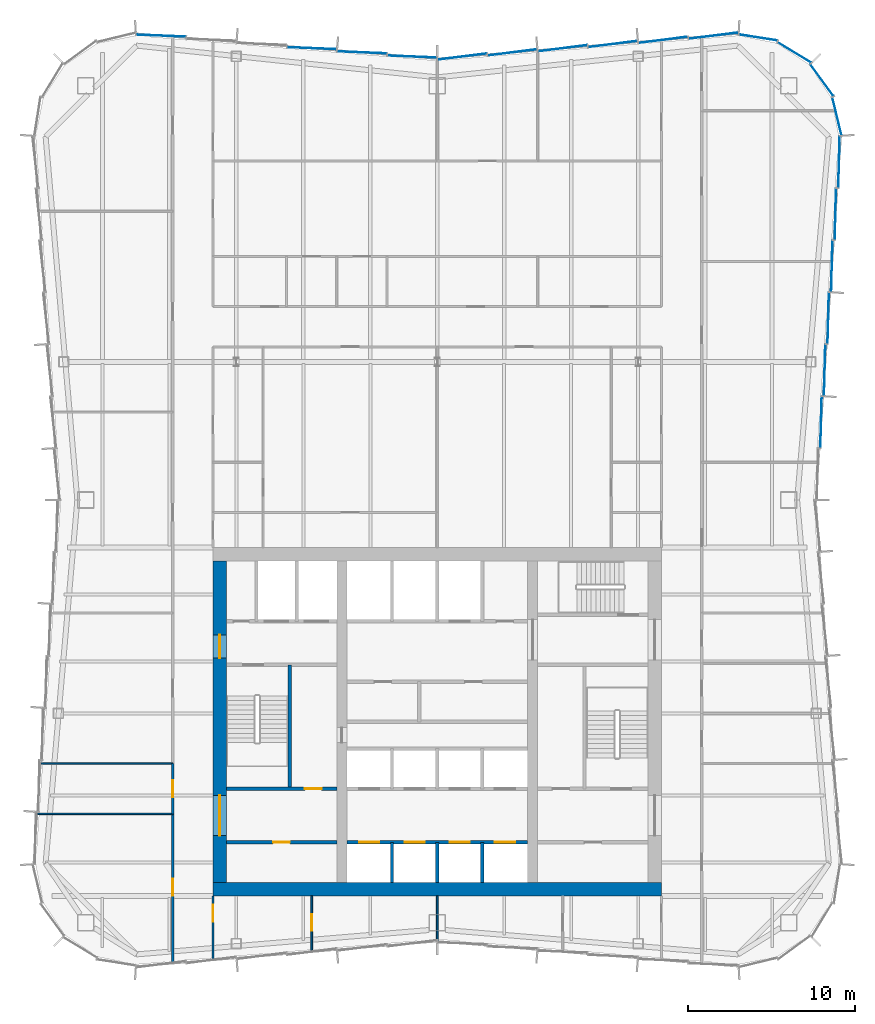
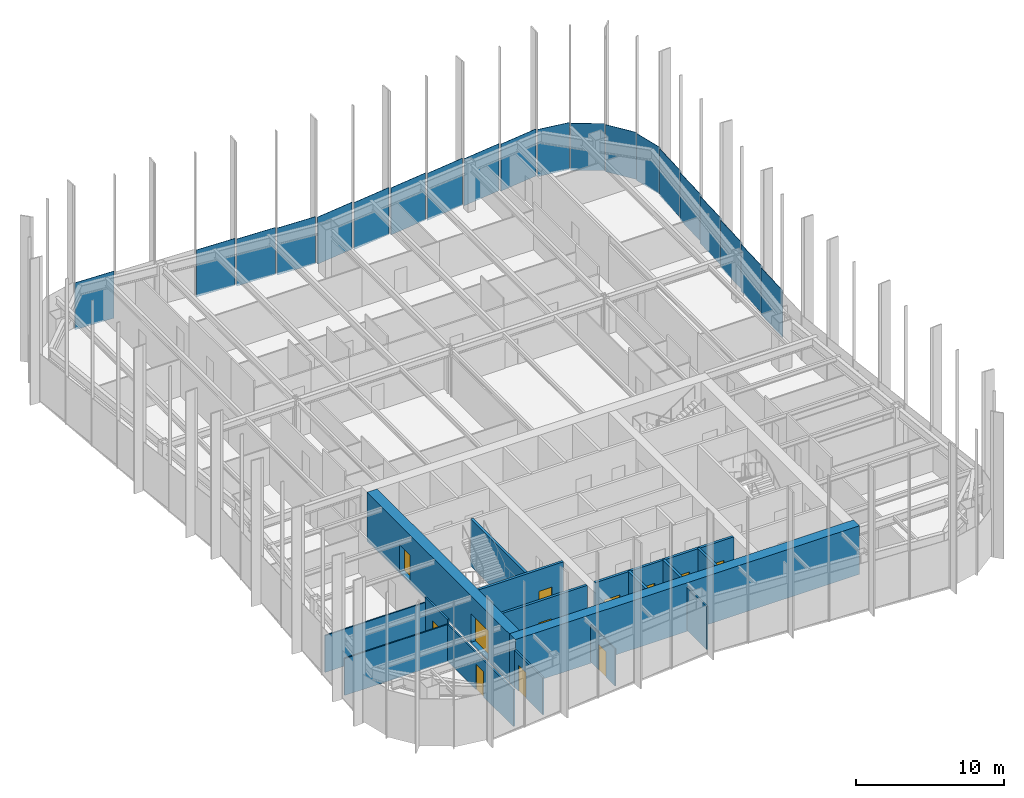
# One storey, part 10 of 15: 20 plates, 16 walls, 12 doors, 12 openings, 3 elements without a shape of their own.
"""IFC4 building model written with IfcOpenShell, lengths in metres."""

from ifc_helpers import new_model, si_unit, direction, frame, frame_2d, origin, origin_2d, place, context, subcontext, project, spatial, rectangle, extrude, material, layer, layer_set, type_object, element, fill, aggregate, save


model = new_model("IFC4")

# Units and contexts
model_context = context("Model", 3, precision=1e-05, world=origin(), true_north=direction((0.0, 1.0)))
body_context = subcontext(model_context, "Body", "Model", "MODEL_VIEW")
ifc_project = project(units=[si_unit("LENGTHUNIT", "METRE"), si_unit("AREAUNIT", "SQUARE_METRE"), si_unit("VOLUMEUNIT", "CUBIC_METRE"), si_unit("PLANEANGLEUNIT", "RADIAN"), si_unit("MASSUNIT", "GRAM", prefix="KILO")], contexts=[model_context])

# Site, building, storey
site_placement = place(None, origin())
site = spatial("IfcSite", under=ifc_project, at=site_placement, CompositionType="ELEMENT")
building_placement = place(site_placement, origin())
building = spatial("IfcBuilding", under=site, at=building_placement, Name="Verdant Reach Tower", CompositionType="ELEMENT")
storey_placement = place(building_placement, frame((0.0, 0.0, 238.0)))
storey = spatial("IfcBuildingStorey", under=building, at=storey_placement, Name="L54", CompositionType="ELEMENT", Elevation=238.0)

# Curtain wall, plates
ifc_material_1 = material(Name="Anodised aluminium", Category="aluminium")
curtain_wall_type = type_object("IfcCurtainWallType", Name="EN-CW SYSTEM Z4", PredefinedType="NOTDEFINED", material=ifc_material_1)
curtain_wall_1_placement = place(storey_placement, origin())
curtain_wall_1 = element("IfcCurtainWall", 1, at=curtain_wall_1_placement, inside=storey, type_object=curtain_wall_type, Name="Curtain wall east, L54", PredefinedType="NOTDEFINED")
ifc_material_2 = material(Name="Tinted glass with champagne spandrel", Category="glass")
ifc_layer_1 = layer(ifc_material_2, 0.031982421875)
ifc_layer_set_1 = layer_set([ifc_layer_1], Name="EN-PANEL CHAMPAGNE")
plate_type_1 = type_object("IfcPlateType", Name="EN-PANEL CHAMPAGNE", PredefinedType="CURTAIN_PANEL", material=ifc_layer_set_1)
plate_1_placement = place(storey_placement, frame((23.575927734375, 55.224365234375, -0.221923828125), z_axis=(0.0, 0.0, 1.0), x_axis=(0.026965318308, 0.999636369691, 0.0)))
plate_1 = element("IfcPlate", 2, at=plate_1_placement, type_object=plate_type_1, Name="Glass panel east face part 2 5.1, L54", PredefinedType="CURTAIN_PANEL", context=body_context, shape_type="SweptSolid", body=[
    extrude(rectangle(XDim=3.050537109375, YDim=0.031982421875, at=origin_2d()), origin(), (0.0, 0.0, 1.0), 3.8720703125),
])
plate_2_placement = place(storey_placement, frame((23.790283203125, 58.33154296875, -0.221923828125), z_axis=(0.0, 0.0, 1.0), x_axis=(0.026965318308, 0.999636369691, 0.0)))
plate_2 = element("IfcPlate", 3, at=plate_2_placement, type_object=plate_type_1, Name="Glass panel east face part 2 6.1, L54", PredefinedType="CURTAIN_PANEL", context=body_context, shape_type="SweptSolid", body=[
    extrude(rectangle(XDim=3.050537109375, YDim=0.031982421875, at=origin_2d()), origin(), (0.0, 0.0, 1.0), 3.8720703125),
])
plate_3_placement = place(storey_placement, frame((24.004638671875, 61.446044921875, -0.221923828125), z_axis=(0.0, 0.0, 1.0), x_axis=(0.026651253217, 0.999644792265, 0.0)))
plate_3 = element("IfcPlate", 4, at=plate_3_placement, type_object=plate_type_1, Name="Glass panel east face part 2 7.1, L54", PredefinedType="CURTAIN_PANEL", context=body_context, shape_type="SweptSolid", body=[
    extrude(rectangle(XDim=3.0654296875, YDim=0.031982421875, at=origin_2d()), origin(), (0.0, 0.0, 1.0), 3.8720703125),
])

# Curtain wall, plate
curtain_wall_2_placement = place(storey_placement, origin())
curtain_wall_2 = element("IfcCurtainWall", 5, at=curtain_wall_2_placement, inside=storey, type_object=curtain_wall_type, Name="Curtain wall north-east corner, L54", PredefinedType="NOTDEFINED")
plate_4_placement = place(storey_placement, frame((19.172607421875, 68.87939453125, -0.221923828125), z_axis=(0.0, 0.0, 1.0), x_axis=(-0.98802725693, 0.154279420415, 0.0)))
plate_4 = element("IfcPlate", 6, at=plate_4_placement, type_object=plate_type_1, Name="Glass panel north-east corner 4.1, L54", PredefinedType="CURTAIN_PANEL", context=body_context, shape_type="SweptSolid", body=[
    extrude(rectangle(XDim=2.314453125, YDim=0.031982421875, at=origin_2d()), origin(), (0.0, 0.0, 1.0), 3.8720703125),
])

# Curtain wall, plates
curtain_wall_3_placement = place(storey_placement, origin())
curtain_wall_3 = element("IfcCurtainWall", 7, at=curtain_wall_3_placement, inside=storey, type_object=curtain_wall_type, Name="Curtain wall north, L54", PredefinedType="NOTDEFINED")
plate_5_placement = place(storey_placement, frame((13.49072265625, 68.736572265625, -0.221923828125), z_axis=(0.0, 0.0, 1.0), x_axis=(-0.992194034542, -0.124703639961, 0.0)))
plate_5 = element("IfcPlate", 8, at=plate_5_placement, type_object=plate_type_1, Name="Glass panel north face part 1 2.1, L54", PredefinedType="CURTAIN_PANEL", context=body_context, shape_type="SweptSolid", body=[
    extrude(rectangle(XDim=2.9462890625, YDim=0.031982421875, at=origin_2d()), origin(), (0.0, 0.0, 1.0), 3.8720703125),
])
plate_6_placement = place(storey_placement, frame((10.49072265625, 68.486572265625, -0.221923828125), z_axis=(0.0, 0.0, 1.0), x_axis=(-0.992194034542, -0.124703639961, 0.0)))
plate_6 = element("IfcPlate", 9, at=plate_6_placement, type_object=plate_type_1, Name="Glass panel north face part 1 3.1, L54", PredefinedType="CURTAIN_PANEL", context=body_context, shape_type="SweptSolid", body=[
    extrude(rectangle(XDim=2.9462890625, YDim=0.031982421875, at=origin_2d()), origin(), (0.0, 0.0, 1.0), 3.8720703125),
])
plate_7_placement = place(storey_placement, frame((-7.49072265625, 68.236572265625, -0.221923828125), z_axis=(0.0, 0.0, 1.0), x_axis=(-0.999149202059, 0.041241629766, 0.0)))
plate_7 = element("IfcPlate", 10, at=plate_7_placement, type_object=plate_type_1, Name="Glass panel north face part 2 3.1, L54", PredefinedType="CURTAIN_PANEL", context=body_context, shape_type="SweptSolid", body=[
    extrude(rectangle(XDim=2.9462890625, YDim=0.031982421875, at=origin_2d()), origin(), (0.0, 0.0, 1.0), 3.8720703125),
])

# Plate
ifc_material_3 = material(Name="Tinted glass with copper spandrel", Category="glass")
ifc_layer_2 = layer(ifc_material_3, 0.031982421875)
ifc_layer_set_2 = layer_set([ifc_layer_2], Name="EN-PANEL COPPER")
plate_type_2 = type_object("IfcPlateType", Name="EN-PANEL COPPER", PredefinedType="CURTAIN_PANEL", material=ifc_layer_set_2)
plate_8_placement = place(storey_placement, frame((22.93310546875, 45.903076171875, -0.221923828125), z_axis=(0.0, 0.0, 1.0), x_axis=(0.026965318308, 0.999636369691, 0.0)))
plate_8 = element("IfcPlate", 11, at=plate_8_placement, type_object=plate_type_2, Name="Glass panel east face part 2 2.1, L54", PredefinedType="CURTAIN_PANEL", context=body_context, shape_type="SweptSolid", body=[
    extrude(rectangle(XDim=3.050537109375, YDim=0.031982421875, at=origin_2d()), origin(), (0.0, 0.0, 1.0), 3.8720703125),
])

plate_9_placement = place(storey_placement, frame((7.49072265625, 68.236572265625, -0.221923828125), z_axis=(0.0, 0.0, 1.0), x_axis=(-0.992194034542, -0.124703639961, 0.0)))
plate_9 = element("IfcPlate", 12, at=plate_9_placement, type_object=plate_type_2, Name="Glass panel north face part 1 4.1, L54", PredefinedType="CURTAIN_PANEL", context=body_context, shape_type="SweptSolid", body=[
    extrude(rectangle(XDim=2.9462890625, YDim=0.031982421875, at=origin_2d()), origin(), (0.0, 0.0, 1.0), 3.8720703125),
])

plate_10_placement = place(storey_placement, frame((4.49072265625, 67.986572265625, -0.221923828125), z_axis=(0.0, 0.0, 1.0), x_axis=(-0.992194034542, -0.124703639961, 0.0)))
plate_10 = element("IfcPlate", 13, at=plate_10_placement, type_object=plate_type_2, Name="Glass panel north face part 1 5.1, L54", PredefinedType="CURTAIN_PANEL", context=body_context, shape_type="SweptSolid", body=[
    extrude(rectangle(XDim=2.9462890625, YDim=0.031982421875, at=origin_2d()), origin(), (0.0, 0.0, 1.0), 3.8720703125),
])

plate_11_placement = place(storey_placement, frame((1.495361328125, 67.73681640625, -0.221923828125), z_axis=(0.0, 0.0, 1.0), x_axis=(-0.992177950603, -0.124831543836, 0.0)))
plate_11 = element("IfcPlate", 14, at=plate_11_placement, type_object=plate_type_2, Name="Glass panel north face part 1 6.1, L54", PredefinedType="CURTAIN_PANEL", context=body_context, shape_type="SweptSolid", body=[
    extrude(rectangle(XDim=2.93701171875, YDim=0.031982421875, at=origin_2d()), origin(), (0.0, 0.0, 1.0), 3.8720703125),
])

plate_12_placement = place(storey_placement, frame((-16.49853515625, 68.98681640625, -0.221923828125), z_axis=(0.0, 0.0, 1.0), x_axis=(-0.999164016711, 0.040881141246, 0.0)))
plate_12 = element("IfcPlate", 15, at=plate_12_placement, type_object=plate_type_2, Name="Glass panel north face part 2 6.1, L54", PredefinedType="CURTAIN_PANEL", context=body_context, shape_type="SweptSolid", body=[
    extrude(rectangle(XDim=2.9619140625, YDim=0.031982421875, at=origin_2d()), origin(), (0.0, 0.0, 1.0), 3.8720703125),
])

ifc_material_4 = material(Name="Tinted glass with dark bronze spandrel", Category="glass")
ifc_layer_3 = layer(ifc_material_4, 0.031982421875)
ifc_layer_set_3 = layer_set([ifc_layer_3], Name="EN-PANEL DARK")
plate_type_3 = type_object("IfcPlateType", Name="EN-PANEL DARK", PredefinedType="CURTAIN_PANEL", material=ifc_layer_set_3)
plate_13_placement = place(storey_placement, frame((23.1474609375, 49.01025390625, -0.221923828125), z_axis=(0.0, 0.0, 1.0), x_axis=(0.026965318308, 0.999636369691, 0.0)))
plate_13 = element("IfcPlate", 16, at=plate_13_placement, type_object=plate_type_3, Name="Glass panel east face part 2 3.1, L54", PredefinedType="CURTAIN_PANEL", context=body_context, shape_type="SweptSolid", body=[
    extrude(rectangle(XDim=3.050537109375, YDim=0.031982421875, at=origin_2d()), origin(), (0.0, 0.0, 1.0), 3.8720703125),
])

plate_14_placement = place(storey_placement, frame((23.36181640625, 52.1171875, -0.221923828125), z_axis=(0.0, 0.0, 1.0), x_axis=(0.026965318308, 0.999636369691, 0.0)))
plate_14 = element("IfcPlate", 17, at=plate_14_placement, type_object=plate_type_3, Name="Glass panel east face part 2 4.1, L54", PredefinedType="CURTAIN_PANEL", context=body_context, shape_type="SweptSolid", body=[
    extrude(rectangle(XDim=3.050537109375, YDim=0.031982421875, at=origin_2d()), origin(), (0.0, 0.0, 1.0), 3.8720703125),
])

aggregate(curtain_wall_1, [plate_8, plate_13, plate_14, plate_1, plate_2, plate_3])

plate_15_placement = place(storey_placement, frame((23.87939453125, 64.173095703125, -0.221923828125), z_axis=(0.0, 0.0, 1.0), x_axis=(-0.236458850433, 0.971641503875, 0.0)))
plate_15 = element("IfcPlate", 18, at=plate_15_placement, type_object=plate_type_3, Name="Glass panel north-east corner 1.1, L54", PredefinedType="CURTAIN_PANEL", context=body_context, shape_type="SweptSolid", body=[
    extrude(rectangle(XDim=2.313720703125, YDim=0.031982421875, at=origin_2d()), origin(), (0.0, 0.0, 1.0), 3.8720703125),
])

plate_16_placement = place(storey_placement, frame((22.984375, 66.330322265625, -0.221923828125), z_axis=(0.0, 0.0, 1.0), x_axis=(-0.589926737254, 0.80745677573, 0.0)))
plate_16 = element("IfcPlate", 19, at=plate_16_placement, type_object=plate_type_3, Name="Glass panel north-east corner 2.1, L54", PredefinedType="CURTAIN_PANEL", context=body_context, shape_type="SweptSolid", body=[
    extrude(rectangle(XDim=2.32080078125, YDim=0.031982421875, at=origin_2d()), origin(), (0.0, 0.0, 1.0), 3.8720703125),
])

plate_17_placement = place(storey_placement, frame((21.330322265625, 67.984375, -0.221923828125), z_axis=(0.0, 0.0, 1.0), x_axis=(-0.853988708265, 0.520291539577, 0.0)))
plate_17 = element("IfcPlate", 20, at=plate_17_placement, type_object=plate_type_3, Name="Glass panel north-east corner 3.1, L54", PredefinedType="CURTAIN_PANEL", context=body_context, shape_type="SweptSolid", body=[
    extrude(rectangle(XDim=2.32080078125, YDim=0.031982421875, at=origin_2d()), origin(), (0.0, 0.0, 1.0), 3.8720703125),
])

aggregate(curtain_wall_2, [plate_15, plate_16, plate_17, plate_4])

plate_18_placement = place(storey_placement, frame((16.49853515625, 68.98681640625, -0.221923828125), z_axis=(0.0, 0.0, 1.0), x_axis=(-0.992238962139, -0.124345655383, 0.0)))
plate_18 = element("IfcPlate", 21, at=plate_18_placement, type_object=plate_type_3, Name="Glass panel north face part 1 1.1, L54", PredefinedType="CURTAIN_PANEL", context=body_context, shape_type="SweptSolid", body=[
    extrude(rectangle(XDim=2.9619140625, YDim=0.031982421875, at=origin_2d()), origin(), (0.0, 0.0, 1.0), 3.8720703125),
])

plate_19_placement = place(storey_placement, frame((-1.495361328125, 67.73681640625, -0.221923828125), z_axis=(0.0, 0.0, 1.0), x_axis=(-0.999143877249, 0.041370430933, 0.0)))
plate_19 = element("IfcPlate", 22, at=plate_19_placement, type_object=plate_type_3, Name="Glass panel north face part 2 1.1, L54", PredefinedType="CURTAIN_PANEL", context=body_context, shape_type="SweptSolid", body=[
    extrude(rectangle(XDim=2.93701171875, YDim=0.031982421875, at=origin_2d()), origin(), (0.0, 0.0, 1.0), 3.8720703125),
])

plate_20_placement = place(storey_placement, frame((-4.49072265625, 67.986572265625, -0.221923828125), z_axis=(0.0, 0.0, 1.0), x_axis=(-0.999149202059, 0.041241629766, 0.0)))
plate_20 = element("IfcPlate", 23, at=plate_20_placement, type_object=plate_type_3, Name="Glass panel north face part 2 2.1, L54", PredefinedType="CURTAIN_PANEL", context=body_context, shape_type="SweptSolid", body=[
    extrude(rectangle(XDim=2.9462890625, YDim=0.031982421875, at=origin_2d()), origin(), (0.0, 0.0, 1.0), 3.8720703125),
])

aggregate(curtain_wall_3, [plate_18, plate_5, plate_6, plate_9, plate_10, plate_11, plate_19, plate_20, plate_7, plate_12])

# Wall, opening, door
ifc_material_5 = material(Name="Gypsum board on steel studs", Category="steel")
ifc_layer_4 = layer(ifc_material_5, 0.199951171875)
ifc_layer_set_4 = layer_set([ifc_layer_4], Name="CO-WALL-ROOM")
wall_type_1 = type_object("IfcWallType", Name="CO-WALL-ROOM", PredefinedType="PARTITIONING", material=ifc_layer_set_4)
wall_1_placement = place(storey_placement, frame((-12.60009765625, 20.800048828125, 0.0), z_axis=(0.0, 0.0, 1.0), x_axis=(1.0, 0.0, 0.0)))
wall_1 = element("IfcWall", 24, at=wall_1_placement, inside=storey, type_object=wall_type_1, Name="Core partition, L54", PredefinedType="PARTITIONING", context=body_context, shape_type="SweptSolid", body=[
    extrude(rectangle(XDim=6.60009765625, YDim=0.199951171875, at=frame_2d((3.300048828125, 0.0))), origin(), (0.0, 0.0, 1.0), 3.8701171875),
])
opening_1_placement = place(wall_1_placement, frame((2.800048828125, 0.0, 0.0)))
opening_1 = element("IfcOpeningElement", 25, at=opening_1_placement, cuts=wall_1, Name="Opening CD", PredefinedType="OPENING", context=body_context, shape_type="SweptSolid", body=[
    extrude(rectangle(XDim=1.0, YDim=2.10009765625, at=frame_2d((0.5, 1.050048828125))), frame((0.0, 0.10986328125, 0.0), z_axis=(0.0, -1.0, 0.0), x_axis=(1.0, 0.0, 0.0)), (0.0, 0.0, 1.0), 0.219970703125),
])
ifc_material_6 = material(Name="Timber", Category="wood")
door_type_1 = type_object("IfcDoorType", Name="CO-DOOR-ROOM", OperationType="NOTDEFINED", PredefinedType="DOOR", material=ifc_material_6)
door_1_placement = place(opening_1_placement, origin())
door_1 = element("IfcDoor", 26, at=door_1_placement, inside=storey, type_object=door_type_1, Name="Core room door, L54", OperationType="SINGLE_SWING_LEFT", OverallHeight=2.10009765625, OverallWidth=1.0, PredefinedType="DOOR", context=body_context, shape_type="SweptSolid", body=[
    extrude(rectangle(XDim=1.0, YDim=2.10009765625, at=frame_2d((0.5, 1.050048828125))), frame((0.0, 0.02490234375, 0.0), z_axis=(0.0, -1.0, 0.0), x_axis=(1.0, 0.0, 0.0)), (0.0, 0.0, 1.0), 0.050048828125),
])
fill(opening_1, door_1)

# Wall, openings, doors
ifc_material_7 = material(Name="Concrete C40/50", Category="concrete")
ifc_layer_5 = layer(ifc_material_7, 0.199951171875)
ifc_layer_set_5 = layer_set([ifc_layer_5], Name="CO-WALL-SHAFT")
wall_type_2 = type_object("IfcWallType", Name="CO-WALL-SHAFT", PredefinedType="PARTITIONING", material=ifc_layer_set_5)
wall_2_placement = place(storey_placement, frame((-5.39990234375, 20.800048828125, 0.0), z_axis=(0.0, 0.0, 1.0), x_axis=(1.0, 0.0, 0.0)))
wall_2 = element("IfcWall", 27, at=wall_2_placement, inside=storey, type_object=wall_type_2, Name="Lift shaft wall, L54", PredefinedType="PARTITIONING", context=body_context, shape_type="SweptSolid", body=[
    extrude(rectangle(XDim=10.7998046875, YDim=0.199951171875, at=frame_2d((5.39990234375, 0.0))), origin(), (0.0, 0.0, 1.0), 3.8701171875),
])
opening_2_placement = place(wall_2_placement, frame((0.75, 0.0, 0.0)))
opening_2 = element("IfcOpeningElement", 28, at=opening_2_placement, cuts=wall_2, Name="Opening LD-B1", PredefinedType="OPENING", context=body_context, shape_type="SweptSolid", body=[
    extrude(rectangle(XDim=1.199951171875, YDim=2.199951171875, at=frame_2d((0.60009765625, 1.10009765625))), frame((0.0, 0.10986328125, 0.0), z_axis=(0.0, -1.0, 0.0), x_axis=(1.0, 0.0, 0.0)), (0.0, 0.0, 1.0), 0.219970703125),
])
opening_3_placement = place(wall_2_placement, frame((3.449951171875, 0.0, 0.0)))
opening_3 = element("IfcOpeningElement", 29, at=opening_3_placement, cuts=wall_2, Name="Opening LD-B2", PredefinedType="OPENING", context=body_context, shape_type="SweptSolid", body=[
    extrude(rectangle(XDim=1.199951171875, YDim=2.199951171875, at=frame_2d((0.60009765625, 1.10009765625))), frame((0.0, 0.10986328125, 0.0), z_axis=(0.0, -1.0, 0.0), x_axis=(1.0, 0.0, 0.0)), (0.0, 0.0, 1.0), 0.219970703125),
])
opening_4_placement = place(wall_2_placement, frame((6.14990234375, 0.0, 0.0)))
opening_4 = element("IfcOpeningElement", 30, at=opening_4_placement, cuts=wall_2, Name="Opening LD-B3", PredefinedType="OPENING", context=body_context, shape_type="SweptSolid", body=[
    extrude(rectangle(XDim=1.199951171875, YDim=2.199951171875, at=frame_2d((0.60009765625, 1.10009765625))), frame((0.0, 0.10986328125, 0.0), z_axis=(0.0, -1.0, 0.0), x_axis=(1.0, 0.0, 0.0)), (0.0, 0.0, 1.0), 0.219970703125),
])
opening_5_placement = place(wall_2_placement, frame((8.85009765625, 0.0, 0.0)))
opening_5 = element("IfcOpeningElement", 31, at=opening_5_placement, cuts=wall_2, Name="Opening LD-B4", PredefinedType="OPENING", context=body_context, shape_type="SweptSolid", body=[
    extrude(rectangle(XDim=1.199951171875, YDim=2.199951171875, at=frame_2d((0.60009765625, 1.10009765625))), frame((0.0, 0.10986328125, 0.0), z_axis=(0.0, -1.0, 0.0), x_axis=(1.0, 0.0, 0.0)), (0.0, 0.0, 1.0), 0.219970703125),
])
ifc_material_8 = material(Name="Stainless steel", Category="steel")
door_type_2 = type_object("IfcDoorType", Name="CO-DOOR-LANDING", OperationType="SLIDING_TO_LEFT", PredefinedType="DOOR", material=ifc_material_8)
door_2_placement = place(opening_2_placement, origin())
door_2 = element("IfcDoor", 32, at=door_2_placement, inside=storey, type_object=door_type_2, Name="Landing door B1, L54", OperationType="SLIDING_TO_LEFT", OverallHeight=2.199951171875, OverallWidth=1.199951171875, PredefinedType="DOOR", context=body_context, shape_type="SweptSolid", body=[
    extrude(rectangle(XDim=1.199951171875, YDim=2.199951171875, at=frame_2d((0.60009765625, 1.10009765625))), frame((0.0, 0.02490234375, 0.0), z_axis=(0.0, -1.0, 0.0), x_axis=(1.0, 0.0, 0.0)), (0.0, 0.0, 1.0), 0.050048828125),
])
fill(opening_2, door_2)
door_3_placement = place(opening_3_placement, origin())
door_3 = element("IfcDoor", 33, at=door_3_placement, inside=storey, type_object=door_type_2, Name="Landing door B2, L54", OperationType="SLIDING_TO_LEFT", OverallHeight=2.199951171875, OverallWidth=1.199951171875, PredefinedType="DOOR", context=body_context, shape_type="SweptSolid", body=[
    extrude(rectangle(XDim=1.199951171875, YDim=2.199951171875, at=frame_2d((0.60009765625, 1.10009765625))), frame((0.0, 0.02490234375, 0.0), z_axis=(0.0, -1.0, 0.0), x_axis=(1.0, 0.0, 0.0)), (0.0, 0.0, 1.0), 0.050048828125),
])
fill(opening_3, door_3)
door_4_placement = place(opening_4_placement, origin())
door_4 = element("IfcDoor", 34, at=door_4_placement, inside=storey, type_object=door_type_2, Name="Landing door B3, L54", OperationType="SLIDING_TO_LEFT", OverallHeight=2.199951171875, OverallWidth=1.199951171875, PredefinedType="DOOR", context=body_context, shape_type="SweptSolid", body=[
    extrude(rectangle(XDim=1.199951171875, YDim=2.199951171875, at=frame_2d((0.60009765625, 1.10009765625))), frame((0.0, 0.02490234375, 0.0), z_axis=(0.0, -1.0, 0.0), x_axis=(1.0, 0.0, 0.0)), (0.0, 0.0, 1.0), 0.050048828125),
])
fill(opening_4, door_4)
door_5_placement = place(opening_5_placement, origin())
door_5 = element("IfcDoor", 35, at=door_5_placement, inside=storey, type_object=door_type_2, Name="Landing door B4, L54", OperationType="SLIDING_TO_LEFT", OverallHeight=2.199951171875, OverallWidth=1.199951171875, PredefinedType="DOOR", context=body_context, shape_type="SweptSolid", body=[
    extrude(rectangle(XDim=1.199951171875, YDim=2.199951171875, at=frame_2d((0.60009765625, 1.10009765625))), frame((0.0, 0.02490234375, 0.0), z_axis=(0.0, -1.0, 0.0), x_axis=(1.0, 0.0, 0.0)), (0.0, 0.0, 1.0), 0.050048828125),
])
fill(opening_5, door_5)

# Walls
for number, where, z_axis, x_axis, name in (
    (36, (-2.699951171875, 18.39990234375, 0.0), (0.0, 0.0, 1.0), (0.0, 1.0, 0.0), "Lift shaft wall, L54"),
    (37, (0.0, 18.39990234375, 0.0), (0.0, 0.0, 1.0), (0.0, 1.0, 0.0), "Lift shaft wall, L54"),
    (38, (2.699951171875, 18.39990234375, 0.0), (0.0, 0.0, 1.0), (0.0, 1.0, 0.0), "Lift shaft wall, L54"),
):
    element("IfcWall", number, at=place(storey_placement, frame(where, z_axis=z_axis, x_axis=x_axis)), inside=storey, type_object=wall_type_2, Name=name, PredefinedType="PARTITIONING", context=body_context, shape_type="SweptSolid", body=[
        extrude(rectangle(XDim=2.400146484375, YDim=0.199951171875, at=frame_2d((1.2001953125, 0.0))), origin(), (0.0, 0.0, 1.0), 3.8701171875),
    ])

# Wall, opening, door
ifc_layer_6 = layer(ifc_material_7, 0.199951171875)
ifc_layer_set_6 = layer_set([ifc_layer_6], Name="CO-WALL-STAIR")
wall_type_3 = type_object("IfcWallType", Name="CO-WALL-STAIR", PredefinedType="PARTITIONING", material=ifc_layer_set_6)
wall_3_placement = place(storey_placement, frame((-12.60009765625, 24.0, 0.0), z_axis=(0.0, 0.0, 1.0), x_axis=(1.0, 0.0, 0.0)))
wall_3 = element("IfcWall", 39, at=wall_3_placement, inside=storey, type_object=wall_type_3, Name="Stair enclosure wall, L54", PredefinedType="PARTITIONING", context=body_context, shape_type="SweptSolid", body=[
    extrude(rectangle(XDim=6.60009765625, YDim=0.199951171875, at=frame_2d((3.300048828125, 0.0))), origin(), (0.0, 0.0, 1.0), 3.8701171875),
])
opening_6_placement = place(wall_3_placement, frame((4.699951171875, 0.0, 0.0)))
opening_6 = element("IfcOpeningElement", 40, at=opening_6_placement, cuts=wall_3, Name="Opening CD", PredefinedType="OPENING", context=body_context, shape_type="SweptSolid", body=[
    extrude(rectangle(XDim=1.0, YDim=2.10009765625, at=frame_2d((0.5, 1.050048828125))), frame((0.0, 0.10986328125, 0.0), z_axis=(0.0, -1.0, 0.0), x_axis=(1.0, 0.0, 0.0)), (0.0, 0.0, 1.0), 0.219970703125),
])
door_6_placement = place(opening_6_placement, origin())
door_6 = element("IfcDoor", 41, at=door_6_placement, inside=storey, type_object=door_type_1, Name="Core room door, L54", OperationType="SINGLE_SWING_RIGHT", OverallHeight=2.10009765625, OverallWidth=1.0, PredefinedType="DOOR", context=body_context, shape_type="SweptSolid", body=[
    extrude(rectangle(XDim=1.0, YDim=2.10009765625, at=frame_2d((0.5, 1.050048828125))), frame((0.0, 0.02490234375, 0.0), z_axis=(0.0, -1.0, 0.0), x_axis=(1.0, 0.0, 0.0)), (0.0, 0.0, 1.0), 0.050048828125),
])
fill(opening_6, door_6)

# Walls
wall_4_placement = place(storey_placement, frame((-8.800048828125, 24.0, 0.0), z_axis=(0.0, 0.0, 1.0), x_axis=(0.0, 1.0, 0.0)))
element("IfcWall", 42, at=wall_4_placement, inside=storey, type_object=wall_type_3, Name="Stair enclosure wall, L54", PredefinedType="PARTITIONING", context=body_context, shape_type="SweptSolid", body=[
    extrude(rectangle(XDim=7.39990234375, YDim=0.199951171875, at=frame_2d((3.699951171875, 0.0))), origin(), (0.0, 0.0, 1.0), 3.8701171875),
])
ifc_layer_7 = layer(ifc_material_5, 0.10009765625)
ifc_layer_set_7 = layer_set([ifc_layer_7], Name="FL-W1 Partition 100")
wall_type_4 = type_object("IfcWallType", Name="FL-W1 Partition 100", PredefinedType="PARTITIONING", material=ifc_layer_set_7)
wall_5_placement = place(storey_placement, frame((-15.800048828125, 22.5, 0.0), z_axis=(0.0, 0.0, 1.0), x_axis=(-1.0, 0.0, 0.0)))
element("IfcWall", 43, at=wall_5_placement, inside=storey, type_object=wall_type_4, Name="Partition 54.38", PredefinedType="PARTITIONING", context=body_context, shape_type="SweptSolid", body=[
    extrude(rectangle(XDim=8.072998046875, YDim=0.10009765625, at=frame_2d((4.03662109375, 0.0))), origin(), (0.0, 0.0, 1.0), 3.0400390625),
])
wall_6_placement = place(storey_placement, frame((-15.800048828125, 25.5, 0.0), z_axis=(0.0, 0.0, 1.0), x_axis=(-1.0, 0.0, 0.0)))
element("IfcWall", 44, at=wall_6_placement, inside=storey, type_object=wall_type_4, Name="Partition 54.39", PredefinedType="PARTITIONING", context=body_context, shape_type="SweptSolid", body=[
    extrude(rectangle(XDim=7.8662109375, YDim=0.10009765625, at=frame_2d((3.93310546875, 0.0))), origin(), (0.0, 0.0, 1.0), 3.0400390625),
])

# Wall, opening, door
wall_7_placement = place(storey_placement, frame((-7.5, 17.60009765625, 0.0), z_axis=(0.0, 0.0, 1.0), x_axis=(0.0, -1.0, 0.0)))
wall_7 = element("IfcWall", 45, at=wall_7_placement, inside=storey, type_object=wall_type_4, Name="Partition 54.50", PredefinedType="PARTITIONING", context=body_context, shape_type="SweptSolid", body=[
    extrude(rectangle(XDim=3.30517578125, YDim=0.10009765625, at=frame_2d((1.652587890625, 0.0))), origin(), (0.0, 0.0, 1.0), 3.0400390625),
])
opening_7_placement = place(wall_7_placement, frame((1.08740234375, 0.0, 0.0)))
opening_7 = element("IfcOpeningElement", 46, at=opening_7_placement, cuts=wall_7, Name="Opening D3", PredefinedType="OPENING", context=body_context, shape_type="SweptSolid", body=[
    extrude(rectangle(XDim=1.0, YDim=2.10009765625, at=frame_2d((0.5, 1.050048828125))), frame((0.0, 0.06005859375, 0.0), z_axis=(0.0, -1.0, 0.0), x_axis=(1.0, 0.0, 0.0)), (0.0, 0.0, 1.0), 0.1201171875),
])
ifc_material_9 = material(Name="Painted timber door leaf", Category="wood")
door_type_3 = type_object("IfcDoorType", Name="FL-D3 Door 1000x2100", OperationType="NOTDEFINED", PredefinedType="DOOR", material=ifc_material_9)
door_7_placement = place(opening_7_placement, origin())
door_7 = element("IfcDoor", 47, at=door_7_placement, inside=storey, type_object=door_type_3, Name="Door 54-029", OperationType="SINGLE_SWING_LEFT", OverallHeight=2.10009765625, OverallWidth=1.0, PredefinedType="DOOR", context=body_context, shape_type="SweptSolid", body=[
    extrude(rectangle(XDim=1.0, YDim=2.10009765625, at=frame_2d((0.5, 1.050048828125))), frame((0.0, 0.02490234375, 0.0), z_axis=(0.0, -1.0, 0.0), x_axis=(1.0, 0.0, 0.0)), (0.0, 0.0, 1.0), 0.050048828125),
])
fill(opening_7, door_7)

# Wall
wall_8_placement = place(storey_placement, frame((0.0, 14.919921875, 0.0), z_axis=(0.0, 0.0, 1.0), x_axis=(0.0, 1.0, 0.0)))
element("IfcWall", 48, at=wall_8_placement, inside=storey, type_object=wall_type_4, Name="Partition 54.51", PredefinedType="PARTITIONING", context=body_context, shape_type="SweptSolid", body=[
    extrude(rectangle(XDim=2.68017578125, YDim=0.10009765625, at=frame_2d((1.340087890625, 0.0))), origin(), (0.0, 0.0, 1.0), 3.5400390625),
])

# Wall, opening, door
ifc_material_10 = material(Name="Gypsum board on steel studs, fire rated", Category="steel")
ifc_layer_8 = layer(ifc_material_10, 0.125)
ifc_layer_set_8 = layer_set([ifc_layer_8], Name="FL-W2 Corridor wall 125")
wall_type_5 = type_object("IfcWallType", Name="FL-W2 Corridor wall 125", PredefinedType="PARTITIONING", material=ifc_layer_set_8)
wall_9_placement = place(storey_placement, frame((-15.800048828125, 13.603271484375, 0.0), z_axis=(0.0, 0.0, 1.0), x_axis=(0.0, 1.0, 0.0)))
wall_9 = element("IfcWall", 49, at=wall_9_placement, inside=storey, type_object=wall_type_5, Name="Partition 54.01", PredefinedType="PARTITIONING", context=body_context, shape_type="SweptSolid", body=[
    extrude(rectangle(XDim=8.896728515625, YDim=0.125, at=frame_2d((4.4482421875, 0.0))), origin(), (0.0, 0.0, 1.0), 3.0400390625),
])
opening_8_placement = place(wall_9_placement, frame((4.013427734375, 0.0, 0.0)))
opening_8 = element("IfcOpeningElement", 50, at=opening_8_placement, cuts=wall_9, Name="Opening D2", PredefinedType="OPENING", context=body_context, shape_type="SweptSolid", body=[
    extrude(rectangle(XDim=1.0, YDim=2.10009765625, at=frame_2d((0.5, 1.050048828125))), frame((0.0, 0.072509765625, 0.0), z_axis=(0.0, -1.0, 0.0), x_axis=(1.0, 0.0, 0.0)), (0.0, 0.0, 1.0), 0.14501953125),
])
ifc_material_11 = material(Name="Timber door leaf, fire rated", Category="wood")
door_type_4 = type_object("IfcDoorType", Name="FL-D2 Entrance door 1000x2100 FD30", OperationType="NOTDEFINED", PredefinedType="DOOR", material=ifc_material_11)
door_8_placement = place(opening_8_placement, origin())
door_8 = element("IfcDoor", 51, at=door_8_placement, inside=storey, type_object=door_type_4, Name="Door 54-001", OperationType="SINGLE_SWING_RIGHT", OverallHeight=2.10009765625, OverallWidth=1.0, PredefinedType="DOOR", context=body_context, shape_type="SweptSolid", body=[
    extrude(rectangle(XDim=1.0, YDim=2.10009765625, at=frame_2d((0.5, 1.050048828125))), frame((0.0, 0.02490234375, 0.0), z_axis=(0.0, -1.0, 0.0), x_axis=(1.0, 0.0, 0.0)), (0.0, 0.0, 1.0), 0.050048828125),
])
fill(opening_8, door_8)

wall_10_placement = place(storey_placement, frame((-15.800048828125, 22.5, 0.0), z_axis=(0.0, 0.0, 1.0), x_axis=(0.0, 1.0, 0.0)))
wall_10 = element("IfcWall", 52, at=wall_10_placement, inside=storey, type_object=wall_type_5, Name="Partition 54.02", PredefinedType="PARTITIONING", context=body_context, shape_type="SweptSolid", body=[
    extrude(rectangle(XDim=3.0, YDim=0.125, at=frame_2d((1.5, 0.0))), origin(), (0.0, 0.0, 1.0), 3.43994140625),
])
opening_9_placement = place(wall_10_placement, frame((1.0, 0.0, 0.0)))
opening_9 = element("IfcOpeningElement", 53, at=opening_9_placement, cuts=wall_10, Name="Opening D2", PredefinedType="OPENING", context=body_context, shape_type="SweptSolid", body=[
    extrude(rectangle(XDim=1.0, YDim=2.10009765625, at=frame_2d((0.5, 1.050048828125))), frame((0.0, 0.072509765625, 0.0), z_axis=(0.0, -1.0, 0.0), x_axis=(1.0, 0.0, 0.0)), (0.0, 0.0, 1.0), 0.14501953125),
])
door_9_placement = place(opening_9_placement, origin())
door_9 = element("IfcDoor", 54, at=door_9_placement, inside=storey, type_object=door_type_4, Name="Door 54-002", OperationType="SINGLE_SWING_RIGHT", OverallHeight=2.10009765625, OverallWidth=1.0, PredefinedType="DOOR", context=body_context, shape_type="SweptSolid", body=[
    extrude(rectangle(XDim=1.0, YDim=2.10009765625, at=frame_2d((0.5, 1.050048828125))), frame((0.0, 0.02490234375, 0.0), z_axis=(0.0, -1.0, 0.0), x_axis=(1.0, 0.0, 0.0)), (0.0, 0.0, 1.0), 0.050048828125),
])
fill(opening_9, door_9)

wall_11_placement = place(storey_placement, frame((-13.39990234375, 17.60009765625, 0.0), z_axis=(0.0, 0.0, 1.0), x_axis=(0.0, -1.0, 0.0)))
wall_11 = element("IfcWall", 55, at=wall_11_placement, inside=storey, type_object=wall_type_5, Name="Partition 54.15", PredefinedType="PARTITIONING", context=body_context, shape_type="SweptSolid", body=[
    extrude(rectangle(XDim=3.796875, YDim=0.125, at=frame_2d((1.8984375, 0.0))), origin(), (0.0, 0.0, 1.0), 3.0400390625),
])
opening_10_placement = place(wall_11_placement, frame((0.533203125, 0.0, 0.0)))
opening_10 = element("IfcOpeningElement", 56, at=opening_10_placement, cuts=wall_11, Name="Opening D2", PredefinedType="OPENING", context=body_context, shape_type="SweptSolid", body=[
    extrude(rectangle(XDim=1.0, YDim=2.10009765625, at=frame_2d((0.5, 1.050048828125))), frame((0.0, 0.072509765625, 0.0), z_axis=(0.0, -1.0, 0.0), x_axis=(1.0, 0.0, 0.0)), (0.0, 0.0, 1.0), 0.14501953125),
])
door_10_placement = place(opening_10_placement, origin())
door_10 = element("IfcDoor", 57, at=door_10_placement, inside=storey, type_object=door_type_4, Name="Door 54-015", OperationType="SINGLE_SWING_LEFT", OverallHeight=2.10009765625, OverallWidth=1.0, PredefinedType="DOOR", context=body_context, shape_type="SweptSolid", body=[
    extrude(rectangle(XDim=1.0, YDim=2.10009765625, at=frame_2d((0.5, 1.050048828125))), frame((0.0, 0.02490234375, 0.0), z_axis=(0.0, -1.0, 0.0), x_axis=(1.0, 0.0, 0.0)), (0.0, 0.0, 1.0), 0.050048828125),
])
fill(opening_10, door_10)

# Wall
ifc_material_12 = material(Name="Concrete C70/85", Category="concrete")
ifc_layer_9 = layer(ifc_material_12, 0.800048828125)
ifc_layer_set_9 = layer_set([ifc_layer_9], Name="ST-CORE-WALL-800")
wall_type_6 = type_object("IfcWallType", Name="ST-CORE-WALL-800", PredefinedType="SHEAR", material=ifc_layer_set_9)
wall_12_placement = place(storey_placement, frame((-13.39990234375, 18.0, -0.1298828125), z_axis=(0.0, 0.0, 1.0), x_axis=(1.0, 0.0, 0.0)))
element("IfcWall", 58, at=wall_12_placement, inside=storey, type_object=wall_type_6, Name="Core wall S, L54", PredefinedType="SHEAR", context=body_context, shape_type="SweptSolid", body=[
    extrude(rectangle(XDim=26.7998046875, YDim=0.800048828125, at=frame_2d((13.39990234375, 0.0))), origin(), (0.0, 0.0, 1.0), 4.0),
])

# Wall, openings, doors
wall_13_placement = place(storey_placement, frame((-13.0, 18.39990234375, -0.1298828125), z_axis=(0.0, 0.0, 1.0), x_axis=(0.0, 1.0, 0.0)))
wall_13 = element("IfcWall", 59, at=wall_13_placement, inside=storey, type_object=wall_type_6, Name="Core wall W, L54", PredefinedType="SHEAR", context=body_context, shape_type="SweptSolid", body=[
    extrude(rectangle(XDim=19.2001953125, YDim=0.800048828125, at=frame_2d((9.60009765625, 0.0))), origin(), (0.0, 0.0, 1.0), 4.0),
])
opening_11_placement = place(wall_13_placement, frame((2.800048828125, 0.0, 0.1298828125)))
opening_11 = element("IfcOpeningElement", 60, at=opening_11_placement, cuts=wall_13, Name="Opening LB", PredefinedType="OPENING", context=body_context, shape_type="SweptSolid", body=[
    extrude(rectangle(XDim=2.39990234375, YDim=2.39990234375, at=frame_2d((1.199951171875, 1.199951171875))), frame((0.0, 0.409912109375, 0.0), z_axis=(0.0, -1.0, 0.0), x_axis=(1.0, 0.0, 0.0)), (0.0, 0.0, 1.0), 0.820068359375),
])
opening_12_placement = place(wall_13_placement, frame((13.39990234375, 0.0, 0.1298828125)))
opening_12 = element("IfcOpeningElement", 61, at=opening_12_placement, cuts=wall_13, Name="Opening FL", PredefinedType="OPENING", context=body_context, shape_type="SweptSolid", body=[
    extrude(rectangle(XDim=1.39990234375, YDim=2.199951171875, at=frame_2d((0.699951171875, 1.10009765625))), frame((0.0, 0.409912109375, 0.0), z_axis=(0.0, -1.0, 0.0), x_axis=(1.0, 0.0, 0.0)), (0.0, 0.0, 1.0), 0.820068359375),
])
ifc_material_13 = material(Name="Steel", Category="steel")
door_type_5 = type_object("IfcDoorType", Name="CO-DOOR-FFL", OperationType="NOTDEFINED", PredefinedType="DOOR", material=ifc_material_13)
door_11_placement = place(opening_12_placement, origin())
door_11 = element("IfcDoor", 62, at=door_11_placement, inside=storey, type_object=door_type_5, Name="Core entrance door, L54", OperationType="SINGLE_SWING_RIGHT", OverallHeight=2.199951171875, OverallWidth=1.39990234375, PredefinedType="DOOR", context=body_context, shape_type="SweptSolid", body=[
    extrude(rectangle(XDim=1.39990234375, YDim=2.199951171875, at=frame_2d((0.699951171875, 1.10009765625))), frame((0.0, 0.02490234375, 0.0), z_axis=(0.0, -1.0, 0.0), x_axis=(1.0, 0.0, 0.0)), (0.0, 0.0, 1.0), 0.050048828125),
])
fill(opening_12, door_11)
ifc_material_14 = material(Name="Glass and steel", Category="steel")
door_type_6 = type_object("IfcDoorType", Name="CO-DOOR-LOBBY", OperationType="DOUBLE_DOOR_SINGLE_SWING", PredefinedType="DOOR", material=ifc_material_14)
door_12_placement = place(opening_11_placement, origin())
door_12 = element("IfcDoor", 63, at=door_12_placement, inside=storey, type_object=door_type_6, Name="Core entrance door, L54", OperationType="DOUBLE_DOOR_SINGLE_SWING", OverallHeight=2.39990234375, OverallWidth=2.39990234375, PredefinedType="DOOR", context=body_context, shape_type="SweptSolid", body=[
    extrude(rectangle(XDim=2.39990234375, YDim=2.39990234375, at=frame_2d((1.199951171875, 1.199951171875))), frame((0.0, 0.02490234375, 0.0), z_axis=(0.0, -1.0, 0.0), x_axis=(1.0, 0.0, 0.0)), (0.0, 0.0, 1.0), 0.050048828125),
])
fill(opening_11, door_12)

save(model, "model.ifc")
